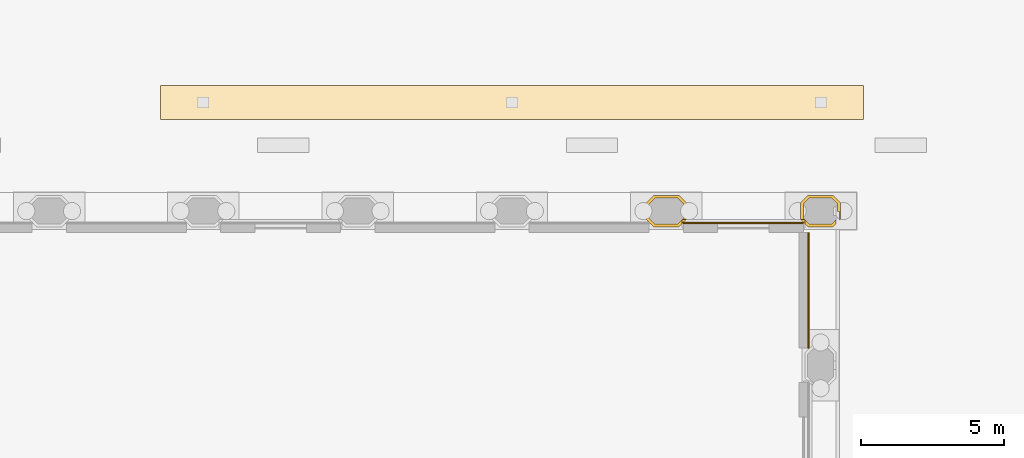
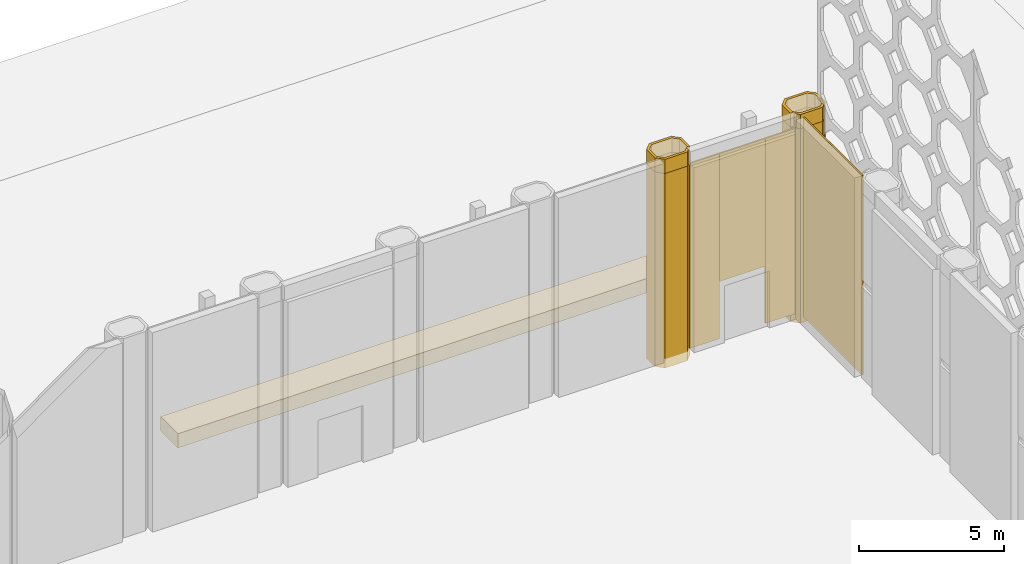
# One storey, part 52 of 54: 10 coverings.
"""IFC4 building model written with IfcOpenShell, lengths in metres."""

from ifc_helpers import new_model, si_unit, direction, frame, frame_2d, origin, origin_2d, place, context, subcontext, project, spatial, polyline, rectangle, outline, extrude, material, layer, layer_set, type_object, element, save


model = new_model("IFC4")

# Units and contexts
model_context = context("Model", 3, precision=1e-05, world=origin(), true_north=direction((0.0, 1.0)))
body_context = subcontext(model_context, "Body", "Model", "MODEL_VIEW")
ifc_project = project(units=[si_unit("LENGTHUNIT", "METRE"), si_unit("AREAUNIT", "SQUARE_METRE"), si_unit("VOLUMEUNIT", "CUBIC_METRE"), si_unit("PLANEANGLEUNIT", "RADIAN"), si_unit("MASSUNIT", "GRAM", prefix="KILO")], contexts=[model_context])

# Site, building, storey
site_placement = place(None, origin())
site = spatial("IfcSite", under=ifc_project, at=site_placement, CompositionType="ELEMENT")
building_placement = place(site_placement, origin())
building = spatial("IfcBuilding", under=site, at=building_placement, Name="Tabaq Tower and Sports Hall", CompositionType="ELEMENT")
storey_placement = place(building_placement, origin())
storey = spatial("IfcBuildingStorey", under=building, at=storey_placement, Name="L00", CompositionType="ELEMENT", Elevation=0.0)

# Coverings
ifc_material_1 = material(Name="Precast concrete C60/75", Category="concrete")
ifc_layer_1 = layer(ifc_material_1, 0.10009765625)
ifc_layer_set_1 = layer_set([ifc_layer_1], Name="Column cladding 100")
covering_type_1 = type_object("IfcCoveringType", Name="Column cladding 100", PredefinedType="CLADDING", material=ifc_layer_set_1)
covering_1_placement = place(storey_placement, frame((0.0, 0.0, -0.39990234375)))
element("IfcCovering", 1, at=covering_1_placement, inside=storey, type_object=covering_type_1, Name="Column cladding L00 HC-23I", PredefinedType="CLADDING", context=body_context, shape_type="SweptSolid", body=[
    extrude(outline(polyline([(118.100341796875, 42.90869140625), (118.100341796875, 43.4912109375), (118.358642578125, 43.749755859375), (119.2412109375, 43.749755859375), (119.499755859375, 43.4912109375), (119.499755859375, 42.90869140625), (119.2412109375, 42.650390625), (118.358642578125, 42.650390625), (118.100341796875, 42.90869140625)]), holes=[polyline([(119.2001953125, 42.749755859375), (119.400390625, 42.949951171875), (119.400390625, 43.4501953125), (119.2001953125, 43.650390625), (118.39990234375, 43.650390625), (118.19970703125, 43.4501953125), (118.19970703125, 42.949951171875), (118.39990234375, 42.749755859375), (119.2001953125, 42.749755859375)])]), origin(), (0.0, 0.0, 1.0), 8.199951171875),
])
covering_2_placement = place(storey_placement, frame((0.0, 0.0, 7.800048828125)))
element("IfcCovering", 2, at=covering_2_placement, inside=storey, type_object=covering_type_1, Name="Column cladding L00 HC-23I head", PredefinedType="CLADDING", context=body_context, shape_type="SweptSolid", body=[
    extrude(outline(polyline([(118.100341796875, 43.4912109375), (118.358642578125, 43.749755859375), (119.2412109375, 43.749755859375), (119.499755859375, 43.4912109375), (119.499755859375, 42.90869140625), (119.4912109375, 42.900390625), (119.350830078125, 42.900390625), (119.400390625, 42.949951171875), (119.400390625, 43.4501953125), (119.2001953125, 43.650390625), (118.39990234375, 43.650390625), (118.19970703125, 43.4501953125), (118.19970703125, 42.949951171875), (118.39990234375, 42.749755859375), (119.2001953125, 42.749755859375), (119.349609375, 42.899169921875), (119.349609375, 42.7587890625), (119.2412109375, 42.650390625), (118.358642578125, 42.650390625), (118.100341796875, 42.90869140625), (118.100341796875, 43.4912109375)])), origin(), (0.0, 0.0, 1.0), 0.599853515625),
])
covering_3_placement = place(storey_placement, frame((0.0, 0.0, -0.39990234375)))
element("IfcCovering", 3, at=covering_3_placement, inside=storey, type_object=covering_type_1, Name="Column cladding L00 HC-24I", PredefinedType="CLADDING", context=body_context, shape_type="SweptSolid", body=[
    extrude(outline(polyline([(123.500244140625, 43.4912109375), (123.7587890625, 43.749755859375), (124.641357421875, 43.749755859375), (124.899658203125, 43.4912109375), (124.899658203125, 42.90869140625), (124.8603515625, 42.869384765625), (124.8603515625, 43.180419921875), (124.80029296875, 43.180419921875), (124.80029296875, 43.4501953125), (124.60009765625, 43.650390625), (123.7998046875, 43.650390625), (123.599609375, 43.4501953125), (123.599609375, 42.949951171875), (123.7998046875, 42.749755859375), (124.60009765625, 42.749755859375), (124.73974609375, 42.88916015625), (124.73974609375, 42.748779296875), (124.641357421875, 42.650390625), (123.7587890625, 42.650390625), (123.500244140625, 42.90869140625), (123.500244140625, 43.4912109375)])), origin(), (0.0, 0.0, 1.0), 8.199951171875),
])
covering_4_placement = place(storey_placement, frame((0.0, 0.0, 7.800048828125)))
element("IfcCovering", 4, at=covering_4_placement, inside=storey, type_object=covering_type_1, Name="Column cladding L00 HC-24I head", PredefinedType="CLADDING", context=body_context, shape_type="SweptSolid", body=[
    extrude(outline(polyline([(123.6484375, 42.900634765625), (123.5087890625, 42.900634765625), (123.50048828125, 42.908935546875), (123.50048828125, 43.4912109375), (123.7587890625, 43.74951171875), (124.64111328125, 43.74951171875), (124.8994140625, 43.4912109375), (124.8994140625, 42.908935546875), (124.860595703125, 42.8701171875), (124.860595703125, 43.1806640625), (124.800537109375, 43.1806640625), (124.800537109375, 43.4501953125), (124.600341796875, 43.650634765625), (123.7998046875, 43.650634765625), (123.599365234375, 43.4501953125), (123.599365234375, 42.94970703125), (123.6484375, 42.900634765625)])), origin(), (0.0, 0.0, 1.0), 0.599853515625),
])
covering_5_placement = place(storey_placement, frame((0.0, 0.0, 7.800048828125)))
element("IfcCovering", 5, at=covering_5_placement, inside=storey, type_object=covering_type_1, Name="Column cladding L00 HC-24I head 2", PredefinedType="CLADDING", context=body_context, shape_type="SweptSolid", body=[
    extrude(outline(polyline([(123.650634765625, 42.8984375), (123.7998046875, 42.74951171875), (124.600341796875, 42.74951171875), (124.739501953125, 42.888671875), (124.739501953125, 42.748779296875), (124.64111328125, 42.650634765625), (123.7587890625, 42.650634765625), (123.650634765625, 42.7587890625), (123.650634765625, 42.8984375)])), origin(), (0.0, 0.0, 1.0), 0.599853515625),
])
ifc_material_2 = material(Name="Precast concrete C35/45 planting bed with planting soil", Category="concrete")
covering_type_2 = type_object("IfcCoveringType", Name="PLAZA PLANTING BED 1200x600", PredefinedType="USERDEFINED", material=ifc_material_2)
covering_6_placement = place(storey_placement, frame((113.39990234375, 47.0, 0.0), z_axis=(0.0, 0.0, 1.0), x_axis=(1.0, 0.0, 0.0)))
element("IfcCovering", 6, at=covering_6_placement, inside=storey, type_object=covering_type_2, Name="Planting bed C2", ObjectType="PLANTER", PredefinedType="USERDEFINED", context=body_context, shape_type="SweptSolid", body=[
    extrude(rectangle(XDim=24.60009765625, YDim=1.199951171875, at=origin_2d()), origin(), (0.0, 0.0, 1.0), 0.60009765625),
])
ifc_material_3 = material(Name="Precast concrete C60/75", Category="concrete")
ifc_layer_2 = layer(ifc_material_3, 0.06005859375)
ifc_layer_set_2 = layer_set([ifc_layer_2], Name="White precast cladding panel 60 C60/75")
covering_type_3 = type_object("IfcCoveringType", Name="White precast cladding panel 60 C60/75", PredefinedType="CLADDING", material=ifc_layer_set_2)
covering_7_placement = place(storey_placement, frame((123.780029296875, 38.39990234375, 0.0), z_axis=(0.0, 0.0, 1.0), x_axis=(0.0, 1.0, 0.0)))
element("IfcCovering", 7, at=covering_7_placement, inside=storey, type_object=covering_type_3, Name="White precast cladding panel L00 L00", PredefinedType="CLADDING", context=body_context, shape_type="SweptSolid", body=[
    extrude(rectangle(XDim=4.050048828125, YDim=0.06005859375, at=frame_2d((2.02490234375, 0.0))), origin(), (0.0, 0.0, 1.0), 8.39990234375),
])
covering_8_placement = place(storey_placement, frame((119.39990234375, 42.780029296875, 0.0), z_axis=(0.0, 0.0, 1.0), x_axis=(1.0, 0.0, 0.0)))
element("IfcCovering", 8, at=covering_8_placement, inside=storey, type_object=covering_type_3, Name="White precast cladding panel L00 L00", PredefinedType="CLADDING", context=body_context, shape_type="SweptSolid", body=[
    extrude(rectangle(XDim=1.190185546875, YDim=0.06005859375, at=frame_2d((0.59521484375, 0.0))), origin(), (0.0, 0.0, 1.0), 7.800048828125),
])
covering_9_placement = place(storey_placement, frame((120.590087890625, 42.780029296875, 2.409912109375), z_axis=(0.0, 0.0, 1.0), x_axis=(1.0, 0.0, 0.0)))
element("IfcCovering", 9, at=covering_9_placement, inside=storey, type_object=covering_type_3, Name="White precast cladding panel L00 L00 2", PredefinedType="CLADDING", context=body_context, shape_type="SweptSolid", body=[
    extrude(rectangle(XDim=1.81982421875, YDim=0.06005859375, at=frame_2d((0.909912109375, 0.0))), origin(), (0.0, 0.0, 1.0), 5.39013671875),
])
covering_10_placement = place(storey_placement, frame((122.409912109375, 42.780029296875, 0.0), z_axis=(0.0, 0.0, 1.0), x_axis=(1.0, 0.0, 0.0)))
element("IfcCovering", 10, at=covering_10_placement, inside=storey, type_object=covering_type_3, Name="White precast cladding panel L00 L00 3", PredefinedType="CLADDING", context=body_context, shape_type="SweptSolid", body=[
    extrude(rectangle(XDim=1.190185546875, YDim=0.06005859375, at=frame_2d((0.59521484375, 0.0))), origin(), (0.0, 0.0, 1.0), 7.800048828125),
])

save(model, "model.ifc")
